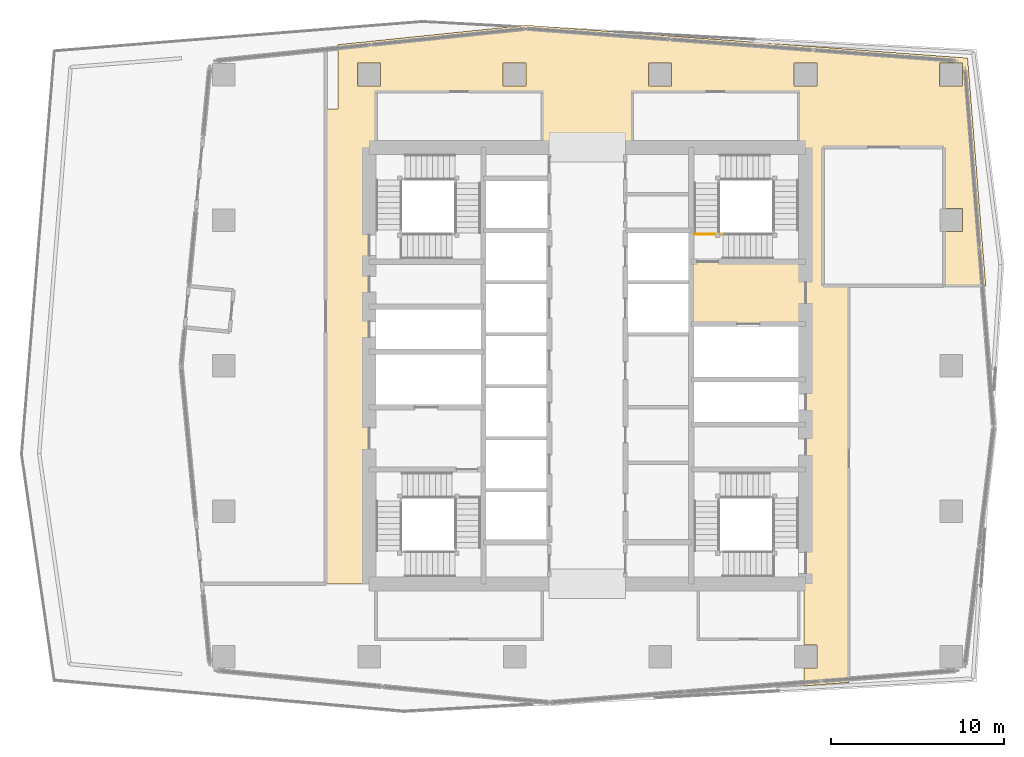
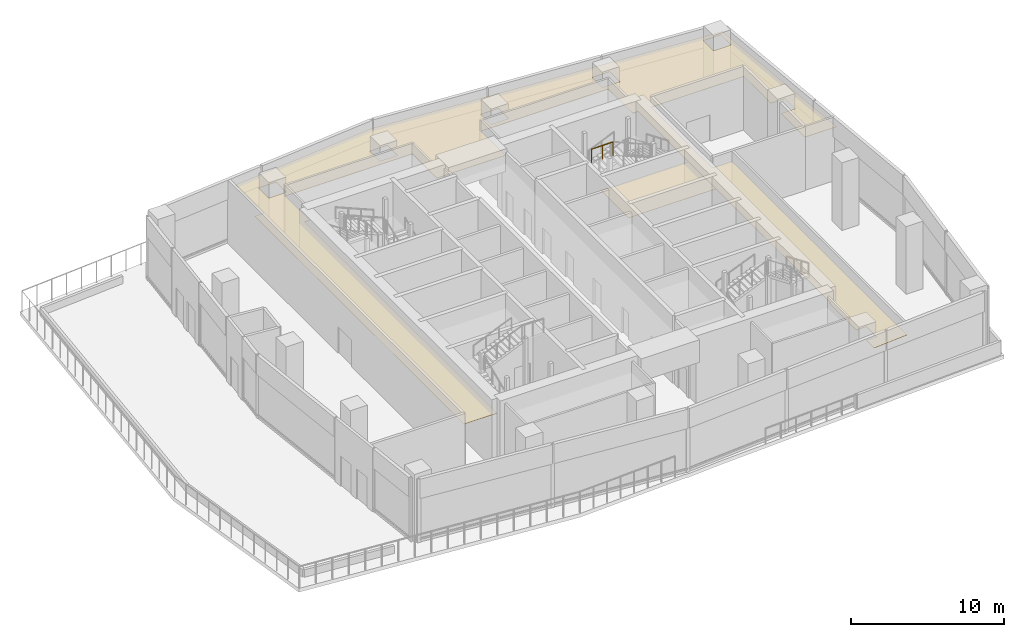
# One storey, part 20 of 22: 2 coverings, 1 railing.
"""IFC4 building model written with IfcOpenShell, lengths in metres."""

import ifcopenshell
import ifcopenshell.guid

model = None  # the IFC model being written
_history = None  # IfcOwnerHistory: only IFC2X3 demands one
_inside = {}  # id of a spatial element -> (the spatial element, [elements in it])
_under = {}  # id of a project, library or spatial element -> (it, [spatial elements below it])
_declared = {}  # id of a project -> (the project, [libraries it declares])
_typed = {}  # id of a type object -> (the type object, [elements of that type])
_made_of = {}  # id of a material, layer set ... -> (it, [elements and type objects made of it])


def new_model(schema):
    """Start an empty IFC model of exactly this schema.

    Asked for "IFC4X3", IfcOpenShell would pick the latest addendum, in which some entities
    have other attributes; the version numbers below select the first issue.
    IFC2X3 requires an IfcOwnerHistory on every rooted entity: one is made here for all.
    """
    global model, _history
    if schema == "IFC4X3":
        model = ifcopenshell.file(schema_version=(4, 3, 0, 0))
    else:
        model = ifcopenshell.file(schema=schema)
    _inside.clear()
    _under.clear()
    _declared.clear()
    _typed.clear()
    _made_of.clear()
    _history = None
    if model.schema == "IFC2X3":
        org = make("IfcOrganization", Name="unknown")
        user = make(
            "IfcPersonAndOrganization",
            ThePerson=make("IfcPerson", FamilyName="unknown"),
            TheOrganization=org,
        )
        app = make(
            "IfcApplication",
            ApplicationDeveloper=org,
            Version="unknown",
            ApplicationFullName="unknown",
            ApplicationIdentifier="unknown",
        )
        _history = make(
            "IfcOwnerHistory",
            OwningUser=user,
            OwningApplication=app,
            ChangeAction="ADDED",
            CreationDate=0,
        )
    return model


def make(cls, **values):
    """One entity of the class cls with the attributes given. An attribute that is None is left unset."""
    return model.create_entity(
        cls, **{name: value for name, value in values.items() if value is not None}
    )


def rooted(cls, **values):
    """An entity with a GlobalId (a new one), such as an element, a storey or a relation."""
    return make(cls, GlobalId=ifcopenshell.guid.new(), OwnerHistory=_history, **values)


def si_unit(unit_type, name, prefix=None):
    """IfcSIUnit, for example si_unit("LENGTHUNIT", "METRE", prefix="MILLI")."""
    return make("IfcSIUnit", UnitType=unit_type, Prefix=prefix, Name=name)


def assignment(units):
    """IfcUnitAssignment: the units of a project."""
    return None if units is None else make("IfcUnitAssignment", Units=units)


def point(xyz):
    """IfcCartesianPoint."""
    return None if xyz is None else make("IfcCartesianPoint", Coordinates=xyz)


def direction(xyz):
    """IfcDirection."""
    return None if xyz is None else make("IfcDirection", DirectionRatios=xyz)


def frame(location, z_axis=None, x_axis=None):
    """IfcAxis2Placement3D, a coordinate frame: its origin and axes. An axis left out is left unset."""
    return make(
        "IfcAxis2Placement3D",
        Location=point(location),
        Axis=direction(z_axis),
        RefDirection=direction(x_axis),
    )


def frame_2d(location, x_axis=None):
    """IfcAxis2Placement2D, a coordinate frame in the plane: its origin and x axis."""
    return make(
        "IfcAxis2Placement2D", Location=point(location), RefDirection=direction(x_axis)
    )


def origin():
    """The frame at (0, 0, 0) with its axes left unset."""
    return frame((0.0, 0.0, 0.0))


def origin_2d():
    """The frame at (0, 0) in the plane with its x axis left unset."""
    return frame_2d((0.0, 0.0))


def place(relative_to, where):
    """IfcLocalPlacement: puts the frame where relative to a parent placement (None: the world)."""
    return make(
        "IfcLocalPlacement", PlacementRelTo=relative_to, RelativePlacement=where
    )


def context(
    kind, dimensions, precision=None, world=None, true_north=None, identifier=None
):
    """IfcGeometricRepresentationContext, for example the 3D "Model" context."""
    return make(
        "IfcGeometricRepresentationContext",
        ContextIdentifier=identifier,
        ContextType=kind,
        CoordinateSpaceDimension=dimensions,
        Precision=precision,
        WorldCoordinateSystem=world,
        TrueNorth=true_north,
    )


def subcontext(parent, identifier, kind, view, scale=None):
    """IfcGeometricRepresentationSubContext, for example "Body" below "Model"."""
    return make(
        "IfcGeometricRepresentationSubContext",
        ContextIdentifier=identifier,
        ContextType=kind,
        ParentContext=parent,
        TargetScale=scale,
        TargetView=view,
    )


def project(units=None, contexts=None):
    """IfcProject with its units and contexts."""
    return rooted(
        "IfcProject",
        Name="project",
        RepresentationContexts=contexts,
        UnitsInContext=assignment(units),
    )


def spatial(cls, under=None, at=None, **own):
    """A site, building, storey or space (cls), placed at a placement, below another one or the project."""
    s = rooted(cls, ObjectPlacement=at, **own)
    if under is not None:
        _under.setdefault(under.id(), (under, []))[1].append(s)
    return s


def polyline(points):
    """IfcPolyline through the points."""
    return make("IfcPolyline", Points=[point(p) for p in points])


def profile(cls, at=None, kind="AREA", **sizes):
    """A parametric profile (cls). Its sizes go by their IFC names, for example OverallWidth=200.0."""
    return make(cls, ProfileType=kind, Position=at, **sizes)


def circle(**sizes):
    """IfcCircleProfileDef."""
    return profile("IfcCircleProfileDef", **sizes)


def outline(outer, holes=None, kind="AREA"):
    """IfcArbitraryClosedProfileDef: a profile drawn as a closed curve; with holes, ...WithVoids."""
    if holes is None:
        return make("IfcArbitraryClosedProfileDef", ProfileType=kind, OuterCurve=outer)
    return make(
        "IfcArbitraryProfileDefWithVoids",
        ProfileType=kind,
        OuterCurve=outer,
        InnerCurves=holes,
    )


def extrude(swept, where, along, depth):
    """IfcExtrudedAreaSolid: the profile swept, set in the frame where, extruded along a direction by depth."""
    return make(
        "IfcExtrudedAreaSolid",
        SweptArea=swept,
        Position=where,
        ExtrudedDirection=direction(along),
        Depth=depth,
    )


def shape(context_of_items, identifier, shape_type, items):
    """IfcShapeRepresentation: the items that make up one representation, for example the "Body"."""
    return make(
        "IfcShapeRepresentation",
        ContextOfItems=context_of_items,
        RepresentationIdentifier=identifier,
        RepresentationType=shape_type,
        Items=items,
    )


def material(Name=None, Category=None):
    """IfcMaterial."""
    return make("IfcMaterial", Name=Name, Category=Category)


def layer(
    of_material, thickness, ventilated=None, Name=None, Category=None, Priority=None
):
    """IfcMaterialLayer: one layer of a wall or slab, of a material (None: an air gap)."""
    return make(
        "IfcMaterialLayer",
        Material=of_material,
        LayerThickness=thickness,
        IsVentilated=ventilated,
        Name=Name,
        Category=Category,
        Priority=Priority,
    )


def layer_set(layers, Name=None):
    """IfcMaterialLayerSet."""
    return make("IfcMaterialLayerSet", MaterialLayers=layers, LayerSetName=Name)


def made_of(thing, what):
    """Note that an element or type object is made of a material, layer set ...; save() writes the relation."""
    if what is not None:
        _made_of.setdefault(what.id(), (what, []))[1].append(thing)
    return thing


def type_object(cls, material=None, **own):
    """A type object (cls), such as IfcWallType, which elements share."""
    return made_of(rooted(cls, **own), material)


def element(
    cls,
    number,
    at=None,
    inside=None,
    cuts=None,
    type_object=None,
    material=None,
    context=None,
    identifier="Body",
    shape_type=None,
    held_by="IfcProductDefinitionShape",
    body=None,
    shapes=None,
    **own,
):
    """One element of the class cls, such as IfcWall. Its Tag is "e" and its number.

    at: its placement. inside: the storey or other place that contains it. cuts: it is an
    opening in that element (IfcRelVoidsElement). A single representation is given by context,
    identifier, shape_type and body (its items); several are given by shapes. held_by: the class
    of the entity that holds the representations. save() writes the other relations.
    """
    e = rooted(cls, Tag="e%d" % number, ObjectPlacement=at, **own)
    if body is not None:
        shapes = [shape(context, identifier, shape_type, body)]
    if shapes is not None:
        e.Representation = make(held_by, Representations=shapes)
    if inside is not None:
        _inside.setdefault(inside.id(), (inside, []))[1].append(e)
    if cuts is not None:
        rooted(
            "IfcRelVoidsElement", RelatingBuildingElement=cuts, RelatedOpeningElement=e
        )
    if type_object is not None:
        _typed.setdefault(type_object.id(), (type_object, []))[1].append(e)
    return made_of(e, material)


def aggregate(whole, parts):
    """IfcRelAggregates: a whole, such as a stair, and the parts it consists of."""
    return rooted("IfcRelAggregates", RelatingObject=whole, RelatedObjects=parts)


def save(model, path):
    """Write the relations noted so far, then the file.

    IfcRelAggregates (storeys below a building ...), IfcRelContainedInSpatialStructure (elements
    in a storey), IfcRelDefinesByType, IfcRelAssociatesMaterial and IfcRelDeclares: one each for
    every whole, place, type object, material and project.
    """
    for whole, parts in _under.values():
        aggregate(whole, parts)
    for where, things in _inside.values():
        rooted(
            "IfcRelContainedInSpatialStructure",
            RelatedElements=things,
            RelatingStructure=where,
        )
    for kind, things in _typed.values():
        rooted("IfcRelDefinesByType", RelatedObjects=things, RelatingType=kind)
    for what, things in _made_of.values():
        rooted("IfcRelAssociatesMaterial", RelatedObjects=things, RelatingMaterial=what)
    for by, libraries in _declared.values():
        rooted("IfcRelDeclares", RelatingContext=by, RelatedDefinitions=libraries)
    model.write(path)


model = new_model("IFC4")

# Units and contexts
model_context = context("Model", 3, precision=1e-05, world=origin(), true_north=direction((0.0, 1.0)))
body_context = subcontext(model_context, "Body", "Model", "MODEL_VIEW")
ifc_project = project(units=[si_unit("LENGTHUNIT", "METRE"), si_unit("AREAUNIT", "SQUARE_METRE"), si_unit("VOLUMEUNIT", "CUBIC_METRE"), si_unit("PLANEANGLEUNIT", "RADIAN"), si_unit("MASSUNIT", "GRAM", prefix="KILO")], contexts=[model_context])

# Site, building, storey
site_placement = place(None, origin())
site = spatial("IfcSite", under=ifc_project, at=site_placement, CompositionType="ELEMENT")
building_placement = place(site_placement, origin())
building = spatial("IfcBuilding", under=site, at=building_placement, Name="Rekha Terrace Tower", CompositionType="ELEMENT")
storey_placement = place(building_placement, frame((0.0, 0.0, 291.35009765625)))
storey = spatial("IfcBuildingStorey", under=building, at=storey_placement, Name="L74", CompositionType="ELEMENT", Elevation=291.35009765625)

# Coverings
ifc_material_1 = material(Name="Powder-coated aluminium pan", Category="aluminium")
ifc_layer = layer(ifc_material_1, 0.030029296875)
ifc_layer_set = layer_set([ifc_layer], Name="Powder-coated aluminium pan")
covering_type = type_object("IfcCoveringType", Name="CL3 300x1200 metal pan ceiling", PredefinedType="CEILING", material=ifc_layer_set)
covering_1_placement = place(storey_placement, frame((0.0, 0.0, 4.169921875)))
element("IfcCovering", 1, at=covering_1_placement, inside=storey, type_object=covering_type, Name="Ceiling L74-FLB2", PredefinedType="CEILING", context=body_context, shape_type="SweptSolid", body=[
    extrude(outline(polyline([(50.39990234375, 39.60009765625), (43.800048828125, 39.60009765625), (43.800048828125, 36.0), (50.39990234375, 36.0), (50.39990234375, 39.60009765625)])), origin(), (0.0, 0.0, 1.0), 0.030029296875),
])
covering_2_placement = place(storey_placement, frame((0.0, 0.0, 4.169921875)))
element("IfcCovering", 2, at=covering_2_placement, inside=storey, type_object=covering_type, Name="Ceiling L74-01", PredefinedType="CEILING", context=body_context, shape_type="SweptSolid", body=[
    extrude(outline(polyline([(50.0, 46.199951171875), (50.39990234375, 46.199951171875), (50.39990234375, 21.0), (50.300048828125, 21.0), (50.300048828125, 17.465087890625), (51.06494140625, 17.465087890625), (51.06494140625, 16.135009765625), (50.300048828125, 16.135009765625), (50.300048828125, 15.10595703125), (52.89990234375, 15.31103515625), (52.89990234375, 38.199951171875), (51.39990234375, 38.199951171875), (51.39990234375, 46.199951171875), (58.39990234375, 46.199951171875), (58.39990234375, 42.6650390625), (59.465087890625, 42.6650390625), (59.465087890625, 41.3349609375), (58.39990234375, 41.3349609375), (58.39990234375, 38.199951171875), (60.800048828125, 38.199951171875), (59.75, 51.35009765625), (34.2880859375, 53.25), (23.39990234375, 52.1279296875), (23.39990234375, 48.39990234375), (22.699951171875, 48.39990234375), (22.699951171875, 21.0), (25.199951171875, 21.0), (25.199951171875, 46.199951171875), (25.60009765625, 46.199951171875), (25.60009765625, 49.39990234375), (35.199951171875, 49.39990234375), (35.199951171875, 46.199951171875), (40.39990234375, 46.199951171875), (40.39990234375, 49.39990234375), (50.0, 49.39990234375), (50.0, 46.199951171875)]), holes=[polyline([(59.465087890625, 49.735107421875), (58.135009765625, 49.735107421875), (58.135009765625, 51.06494140625), (59.465087890625, 51.06494140625), (59.465087890625, 49.735107421875)]), polyline([(51.06494140625, 51.06494140625), (51.06494140625, 49.735107421875), (49.735107421875, 49.735107421875), (49.735107421875, 51.06494140625), (51.06494140625, 51.06494140625)]), polyline([(42.6650390625, 49.735107421875), (41.3349609375, 49.735107421875), (41.3349609375, 51.06494140625), (42.6650390625, 51.06494140625), (42.6650390625, 49.735107421875)]), polyline([(34.264892578125, 49.735107421875), (32.93505859375, 49.735107421875), (32.93505859375, 51.06494140625), (34.264892578125, 51.06494140625), (34.264892578125, 49.735107421875)]), polyline([(25.864990234375, 51.06494140625), (25.864990234375, 49.735107421875), (24.534912109375, 49.735107421875), (24.534912109375, 51.06494140625), (25.864990234375, 51.06494140625)])]), origin(), (0.0, 0.0, 1.0), 0.030029296875),
])

# Railing
ifc_material_2 = material(Name="Stainless steel balustrade", Category="steel")
railing_type = type_object("IfcRailingType", Name="GR1 1100 stair guard", PredefinedType="GUARDRAIL", material=ifc_material_2)
railing_placement = place(storey_placement, frame((44.0, 41.18994140625, 5.39990234375)))
element("IfcRailing", 3, at=railing_placement, inside=storey, type_object=railing_type, Name="Guard ST2 L74 landing 5", PredefinedType="GUARDRAIL", context=body_context, shape_type="SweptSolid", body=[
    extrude(circle(Radius=0.02392578125, at=origin_2d()), frame((0.0, 0.0, 1.076171875), z_axis=(1.0, 0.0, 0.0), x_axis=(0.0, 1.0, 0.0)), (0.0, 0.0, 1.0), 1.6201171875),
    extrude(circle(Radius=0.02099609375, at=origin_2d()), origin(), (0.0, 0.0, 1.0), 1.052001953125),
    extrude(circle(Radius=0.02099609375, at=origin_2d()), frame((0.81005859375, 0.0, 0.0)), (0.0, 0.0, 1.0), 1.052001953125),
    extrude(circle(Radius=0.02099609375, at=origin_2d()), frame((1.6201171875, 0.0, 0.0)), (0.0, 0.0, 1.0), 1.052001953125),
])

save(model, "model.ifc")
